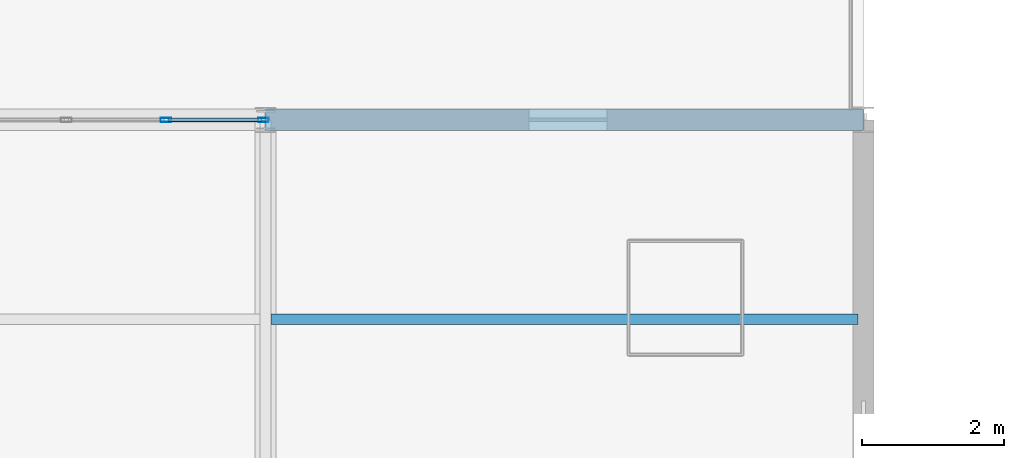
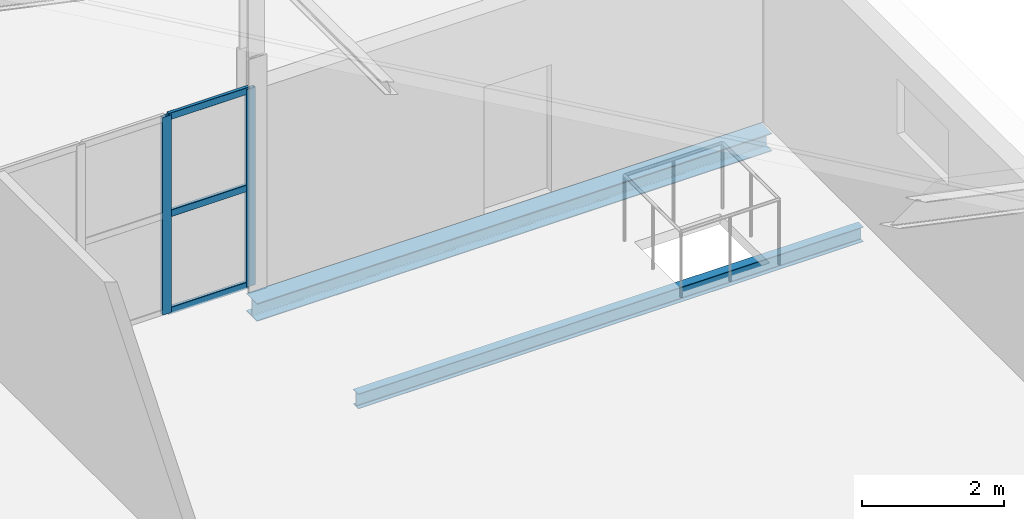
# One storey, part 112 of 184: 5 members, 2 beams, 1 element without a shape of its own.
"""IFC4 building model written with IfcOpenShell, lengths in metres."""

from ifc_helpers import new_model, si_unit, direction, frame, origin, origin_2d, place, context, subcontext, project, spatial, hollow_rectangle, i_section, extrude, material, layer, layer_set, material_profile, profile_set, type_object, element, aggregate, save


model = new_model("IFC4")

# Units and contexts
model_context = context("Model", 3, precision=1e-05, world=origin(), true_north=direction((0.0, 1.0)))
body_context = subcontext(model_context, "Body", "Model", "MODEL_VIEW")
ifc_project = project(units=[si_unit("LENGTHUNIT", "METRE"), si_unit("AREAUNIT", "SQUARE_METRE"), si_unit("VOLUMEUNIT", "CUBIC_METRE"), si_unit("PLANEANGLEUNIT", "RADIAN"), si_unit("MASSUNIT", "GRAM", prefix="KILO")], contexts=[model_context])

# Site, building, storey
site_placement = place(None, origin())
site = spatial("IfcSite", under=ifc_project, at=site_placement, CompositionType="ELEMENT")
building_placement = place(site_placement, origin())
building = spatial("IfcBuilding", under=site, at=building_placement, Name="Qalvenar Corner Mobility Hub", CompositionType="ELEMENT")
storey_placement = place(building_placement, frame((0.0, 0.0, 9.0)))
storey = spatial("IfcBuildingStorey", under=building, at=storey_placement, Name="L02", CompositionType="ELEMENT", Elevation=9.0)

# Beams
ifc_material_1 = material(Name="Steel S355", Category="steel")
ifc_material_profile_1 = material_profile(ifc_material_1, i_section(OverallWidth=0.14599609375, OverallDepth=0.258056640625, WebThickness=0.006103515625, FlangeThickness=0.009033203125, FilletRadius=0.011962890625, at=origin_2d()), Name="W250x32.7")
ifc_profile_set_1 = profile_set([ifc_material_profile_1], Name="Steel S355")
beam_type_1 = type_object("IfcBeamType", Name="BM-JST250", PredefinedType="JOIST", material=ifc_profile_set_1)
beam_1_placement = place(storey_placement, frame((25.278076171875, 81.199951171875, -0.30908203125), z_axis=(1.0, 0.0, 0.0), x_axis=(0.0, 1.0, 0.0)))
element("IfcBeam", 1, at=beam_1_placement, inside=storey, type_object=beam_type_1, Name="Composite Floor Joist J-1901", PredefinedType="JOIST", context=body_context, shape_type="SweptSolid", body=[
    extrude(i_section(OverallWidth=0.14599609375, OverallDepth=0.258056640625, WebThickness=0.006103515625, FlangeThickness=0.009033203125, FilletRadius=0.011962890625, at=origin_2d()), origin(), (0.0, 0.0, 1.0), 8.243896484375),
])
ifc_material_profile_2 = material_profile(ifc_material_1, i_section(OverallWidth=0.300048828125, OverallDepth=0.31005859375, WebThickness=0.009033203125, FlangeThickness=0.015380859375, FilletRadius=0.027099609375, at=origin_2d()), Name="HEA320")
ifc_profile_set_2 = profile_set([ifc_material_profile_2], Name="Steel S355")
beam_type_2 = type_object("IfcBeamType", Name="BM-SPN320", PredefinedType="SPANDREL", material=ifc_profile_set_2)
beam_2_placement = place(storey_placement, frame((25.199951171875, 84.0, -0.39697265625), z_axis=(1.0, 0.0, 0.0), x_axis=(0.0, 1.0, 0.0)))
element("IfcBeam", 2, at=beam_2_placement, inside=storey, type_object=beam_type_2, Name="Primary Steel Girder GX-1838", PredefinedType="SPANDREL", context=body_context, shape_type="SweptSolid", body=[
    extrude(i_section(OverallWidth=0.300048828125, OverallDepth=0.31005859375, WebThickness=0.009033203125, FlangeThickness=0.015380859375, FilletRadius=0.027099609375, at=origin_2d()), origin(), (0.0, 0.0, 1.0), 8.400146484375),
])

# Curtain wall, members
ifc_material_2 = material(Name="Anodised Aluminium and Low-E Glazing", Category="aluminium")
ifc_layer = layer(ifc_material_2, 0.14990234375)
ifc_layer_set = layer_set([ifc_layer], Name="Anodised Aluminium and Low-E Glazing")
curtain_wall_type = type_object("IfcCurtainWallType", Name="CW-CYC-84X39", PredefinedType="NOTDEFINED", material=ifc_layer_set)
curtain_wall_placement = place(storey_placement, origin())
curtain_wall = element("IfcCurtainWall", 3, at=curtain_wall_placement, inside=storey, type_object=curtain_wall_type, Name="Glazed Curtain Wall CW-V5-L02-N2", PredefinedType="NOTDEFINED")
ifc_material_3 = material(Name="Anodised Aluminium 6063-T6", Category="aluminium")
ifc_material_profile_3 = material_profile(ifc_material_3, hollow_rectangle(XDim=0.06005859375, YDim=0.14990234375, WallThickness=0.00390625, InnerFilletRadius=0.00390625, OuterFilletRadius=0.008056640625, at=origin_2d()), Name="RHS150x60x4")
ifc_profile_set_3 = profile_set([ifc_material_profile_3], Name="Anodised Aluminium 6063-T6")
member_type_1 = type_object("IfcMemberType", Name="CW-MUL150", PredefinedType="MULLION", material=ifc_profile_set_3)
member_1_placement = place(storey_placement, frame((25.169921875, 84.0, 0.0), z_axis=(0.0, 0.0, 1.0), x_axis=(0.0, -1.0, 0.0)))
member_1 = element("IfcMember", 4, at=member_1_placement, type_object=member_type_1, Name="CW-08 mullion 1", PredefinedType="MULLION", context=body_context, shape_type="SweptSolid", body=[
    extrude(hollow_rectangle(XDim=0.06005859375, YDim=0.14990234375, WallThickness=0.00390625, InnerFilletRadius=0.00390625, OuterFilletRadius=0.008056640625, at=origin_2d()), origin(), (0.0, 0.0, 1.0), 3.409912109375),
])
member_2_placement = place(storey_placement, frame((23.800048828125, 84.0, 0.0), z_axis=(0.0, 0.0, 1.0), x_axis=(0.0, -1.0, 0.0)))
member_2 = element("IfcMember", 5, at=member_2_placement, type_object=member_type_1, Name="CW-08 mullion 2", PredefinedType="MULLION", context=body_context, shape_type="SweptSolid", body=[
    extrude(hollow_rectangle(XDim=0.06005859375, YDim=0.14990234375, WallThickness=0.00390625, InnerFilletRadius=0.00390625, OuterFilletRadius=0.008056640625, at=origin_2d()), origin(), (0.0, 0.0, 1.0), 3.409912109375),
])
ifc_material_profile_4 = material_profile(ifc_material_3, hollow_rectangle(XDim=0.054931640625, YDim=0.1201171875, WallThickness=0.00341796875, InnerFilletRadius=0.00341796875, OuterFilletRadius=0.007080078125, at=origin_2d()), Name="RHS120x55x3.5")
ifc_profile_set_4 = profile_set([ifc_material_profile_4], Name="Anodised Aluminium 6063-T6")
member_type_2 = type_object("IfcMemberType", Name="CW-TRN120", PredefinedType="USERDEFINED", material=ifc_profile_set_4)
member_3_placement = place(storey_placement, frame((25.139892578125, 84.0, 0.027587890625), z_axis=(-1.0, 0.0, 0.0), x_axis=(0.0, -1.0, 0.0)))
member_3 = element("IfcMember", 6, at=member_3_placement, type_object=member_type_2, Name="CW-08 transom 1.1", ObjectType="TRANSOM", PredefinedType="USERDEFINED", context=body_context, shape_type="SweptSolid", body=[
    extrude(hollow_rectangle(XDim=0.054931640625, YDim=0.1201171875, WallThickness=0.00341796875, InnerFilletRadius=0.00341796875, OuterFilletRadius=0.007080078125, at=origin_2d()), origin(), (0.0, 0.0, 1.0), 1.309814453125),
])
member_4_placement = place(storey_placement, frame((25.139892578125, 84.0, 1.705078125), z_axis=(-1.0, 0.0, 0.0), x_axis=(0.0, -1.0, 0.0)))
member_4 = element("IfcMember", 7, at=member_4_placement, type_object=member_type_2, Name="CW-08 transom 1.2", ObjectType="TRANSOM", PredefinedType="USERDEFINED", context=body_context, shape_type="SweptSolid", body=[
    extrude(hollow_rectangle(XDim=0.054931640625, YDim=0.1201171875, WallThickness=0.00341796875, InnerFilletRadius=0.00341796875, OuterFilletRadius=0.007080078125, at=origin_2d()), origin(), (0.0, 0.0, 1.0), 1.309814453125),
])
member_5_placement = place(storey_placement, frame((25.139892578125, 84.0, 3.382568359375), z_axis=(-1.0, 0.0, 0.0), x_axis=(0.0, -1.0, 0.0)))
member_5 = element("IfcMember", 8, at=member_5_placement, type_object=member_type_2, Name="CW-08 transom 1.3", ObjectType="TRANSOM", PredefinedType="USERDEFINED", context=body_context, shape_type="SweptSolid", body=[
    extrude(hollow_rectangle(XDim=0.054931640625, YDim=0.1201171875, WallThickness=0.00341796875, InnerFilletRadius=0.00341796875, OuterFilletRadius=0.007080078125, at=origin_2d()), origin(), (0.0, 0.0, 1.0), 1.309814453125),
])
aggregate(curtain_wall, [member_1, member_2, member_3, member_4, member_5])

save(model, "model.ifc")
